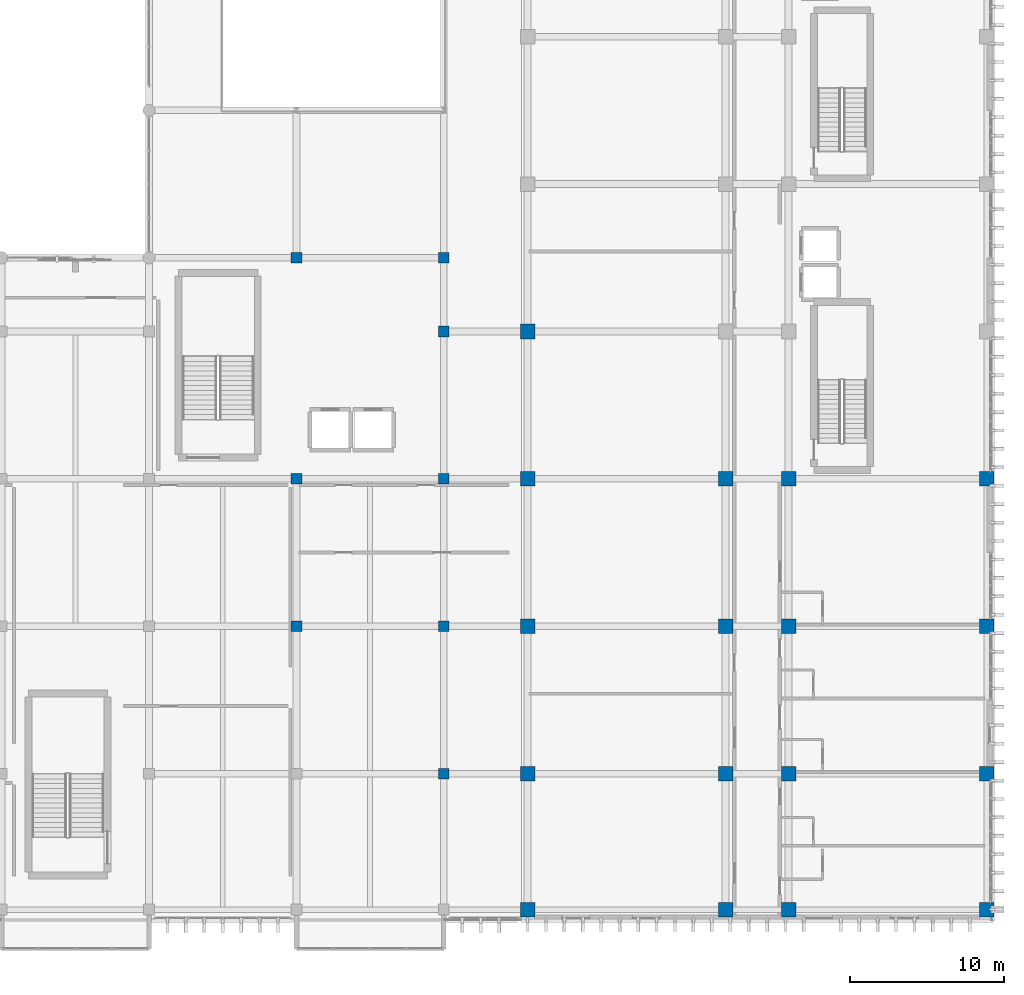
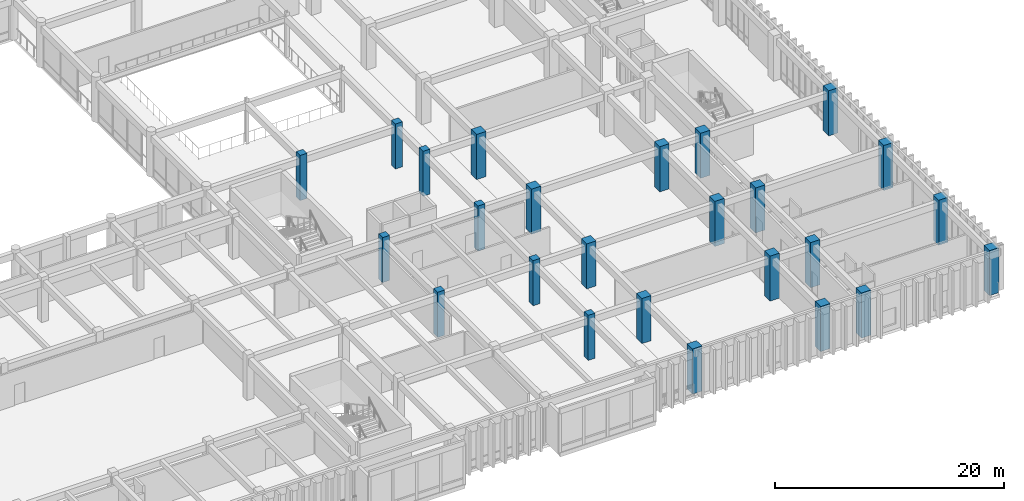
# One storey, part 2 of 133: 25 columns.
"""IFC4 building model written with IfcOpenShell, lengths in metres."""

from ifc_helpers import new_model, si_unit, direction, frame, origin, origin_2d, place, context, subcontext, project, spatial, rectangle, extrude, material, material_profile, profile_set, type_object, element, save


model = new_model("IFC4")

# Units and contexts
model_context = context("Model", 3, precision=1e-05, world=origin(), true_north=direction((0.0, 1.0)))
body_context = subcontext(model_context, "Body", "Model", "MODEL_VIEW")
ifc_project = project(units=[si_unit("LENGTHUNIT", "METRE"), si_unit("AREAUNIT", "SQUARE_METRE"), si_unit("VOLUMEUNIT", "CUBIC_METRE"), si_unit("PLANEANGLEUNIT", "RADIAN"), si_unit("MASSUNIT", "GRAM", prefix="KILO")], contexts=[model_context])

# Site, building, storey
site_placement = place(None, origin())
site = spatial("IfcSite", under=ifc_project, at=site_placement, CompositionType="ELEMENT")
building_placement = place(site_placement, origin())
building = spatial("IfcBuilding", under=site, at=building_placement, Name="Nakhvara Creek Congress Hotel", CompositionType="ELEMENT")
storey_placement = place(building_placement, frame((0.0, 0.0, 11.39990234375)))
storey = spatial("IfcBuildingStorey", under=building, at=storey_placement, Name="L02", CompositionType="ELEMENT", Elevation=11.39990234375)

# Columns
ifc_material = material(Name="Concrete C50/60", Category="concrete")
ifc_material_profile_1 = material_profile(ifc_material, rectangle(XDim=0.699951171875, YDim=0.699951171875, at=origin_2d()), Name="RC-COL 700x700", Category="LoadBearing")
ifc_profile_set_1 = profile_set([ifc_material_profile_1], Name="Concrete C50/60")
column_type_1 = type_object("IfcColumnType", Name="COL-RC-700", PredefinedType="COLUMN", material=ifc_profile_set_1)
for number, where, z_axis, x_axis, name in (
    (1, (134.39990234375, 19.199951171875, 0.0), (0.0, 0.0, 1.0), (1.0, 0.0, 0.0), "Column C06-L02-1138"),
    (2, (134.39990234375, 28.800048828125, 0.0), (0.0, 0.0, 1.0), (1.0, 0.0, 0.0), "Column C06-L02-1139"),
    (3, (134.39990234375, 43.199951171875, 0.0), (0.0, 0.0, 1.0), (1.0, 0.0, 0.0), "Column C06-L02-1140"),
    (4, (144.0, 9.60009765625, 0.0), (0.0, 0.0, 1.0), (1.0, 0.0, 0.0), "Column C06-L02-1147"),
    (5, (144.0, 19.199951171875, 0.0), (0.0, 0.0, 1.0), (1.0, 0.0, 0.0), "Column C06-L02-1148"),
    (6, (144.0, 28.800048828125, 0.0), (0.0, 0.0, 1.0), (1.0, 0.0, 0.0), "Column C06-L02-1149"),
    (7, (144.0, 38.39990234375, 0.0), (0.0, 0.0, 1.0), (1.0, 0.0, 0.0), "Column C06-L02-1150"),
    (8, (144.0, 43.199951171875, 0.0), (0.0, 0.0, 1.0), (1.0, 0.0, 0.0), "Column C06-L02-1151"),
):
    element("IfcColumn", number, at=place(storey_placement, frame(where, z_axis=z_axis, x_axis=x_axis)), inside=storey, type_object=column_type_1, Name=name, PredefinedType="COLUMN", context=body_context, shape_type="SweptSolid", body=[
        extrude(rectangle(XDim=0.699951171875, YDim=0.699951171875, at=origin_2d()), origin(), (0.0, 0.0, 1.0), 4.800048828125),
    ])
ifc_material_profile_2 = material_profile(ifc_material, rectangle(XDim=0.949951171875, YDim=0.949951171875, at=origin_2d()), Name="RC-COL 950x950", Category="LoadBearing")
ifc_profile_set_2 = profile_set([ifc_material_profile_2], Name="Concrete C50/60")
column_type_2 = type_object("IfcColumnType", Name="COL-RC-950", PredefinedType="COLUMN", material=ifc_profile_set_2)
for number, where, z_axis, x_axis, name in (
    (9, (149.449951171875, 0.75, 0.0), (0.0, 0.0, 1.0), (1.0, 0.0, 0.0), "Column C17-L02-1158"),
    (10, (149.449951171875, 9.60009765625, 0.0), (0.0, 0.0, 1.0), (1.0, 0.0, 0.0), "Column C17-L02-1159"),
    (11, (149.449951171875, 19.199951171875, 0.0), (0.0, 0.0, 1.0), (1.0, 0.0, 0.0), "Column C17-L02-1160"),
    (12, (149.449951171875, 28.800048828125, 0.0), (0.0, 0.0, 1.0), (1.0, 0.0, 0.0), "Column C17-L02-1161"),
    (13, (149.449951171875, 38.39990234375, 0.0), (0.0, 0.0, 1.0), (1.0, 0.0, 0.0), "Column C17-L02-1162"),
    (14, (162.35009765625, 0.75, 0.0), (0.0, 0.0, 1.0), (1.0, 0.0, 0.0), "Column C17-L02-1172"),
    (15, (162.35009765625, 9.60009765625, 0.0), (0.0, 0.0, 1.0), (1.0, 0.0, 0.0), "Column C17-L02-1173"),
    (16, (162.35009765625, 19.199951171875, 0.0), (0.0, 0.0, 1.0), (1.0, 0.0, 0.0), "Column C17-L02-1174"),
    (17, (162.35009765625, 28.800048828125, 0.0), (0.0, 0.0, 1.0), (1.0, 0.0, 0.0), "Column C17-L02-1175"),
    (18, (166.449951171875, 0.75, 0.0), (0.0, 0.0, 1.0), (1.0, 0.0, 0.0), "Column C17-L02-1186"),
    (19, (166.449951171875, 9.60009765625, 0.0), (0.0, 0.0, 1.0), (1.0, 0.0, 0.0), "Column C17-L02-1187"),
    (20, (166.449951171875, 19.199951171875, 0.0), (0.0, 0.0, 1.0), (1.0, 0.0, 0.0), "Column C17-L02-1188"),
    (21, (166.449951171875, 28.800048828125, 0.0), (0.0, 0.0, 1.0), (1.0, 0.0, 0.0), "Column C17-L02-1189"),
    (22, (179.35009765625, 0.75, 0.0), (0.0, 0.0, 1.0), (1.0, 0.0, 0.0), "Column C17-L02-1200"),
    (23, (179.35009765625, 9.60009765625, 0.0), (0.0, 0.0, 1.0), (1.0, 0.0, 0.0), "Column C17-L02-1201"),
    (24, (179.35009765625, 19.199951171875, 0.0), (0.0, 0.0, 1.0), (1.0, 0.0, 0.0), "Column C17-L02-1202"),
    (25, (179.35009765625, 28.800048828125, 0.0), (0.0, 0.0, 1.0), (1.0, 0.0, 0.0), "Column C17-L02-1203"),
):
    element("IfcColumn", number, at=place(storey_placement, frame(where, z_axis=z_axis, x_axis=x_axis)), inside=storey, type_object=column_type_2, Name=name, PredefinedType="COLUMN", context=body_context, shape_type="SweptSolid", body=[
        extrude(rectangle(XDim=0.949951171875, YDim=0.949951171875, at=origin_2d()), origin(), (0.0, 0.0, 1.0), 4.800048828125),
    ])

save(model, "model.ifc")
